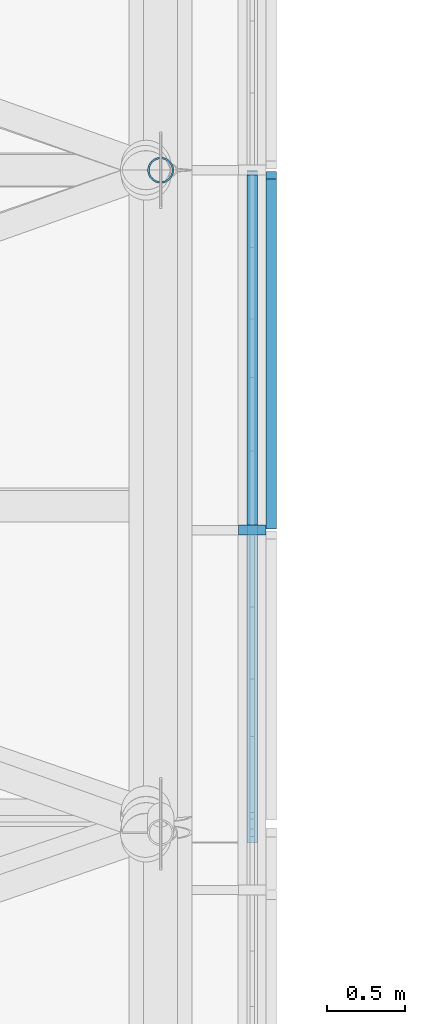
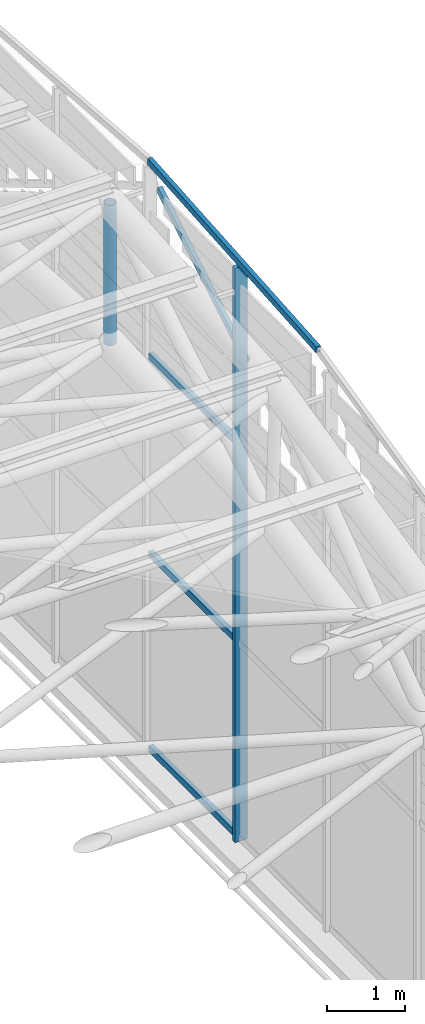
# One storey, part 37 of 110: 7 members, 1 element without a shape of its own.
"""IFC4 building model written with IfcOpenShell, lengths in metres."""

from ifc_helpers import new_model, si_unit, direction, frame, origin, origin_2d, place, context, subcontext, project, spatial, rectangle, hollow_circle, extrude, material, layer, layer_set, material_profile, profile_set, type_object, element, aggregate, save


model = new_model("IFC4")

# Units and contexts
model_context = context("Model", 3, precision=1e-05, world=origin(), true_north=direction((0.0, 1.0)))
body_context = subcontext(model_context, "Body", "Model", "MODEL_VIEW")
ifc_project = project(units=[si_unit("LENGTHUNIT", "METRE"), si_unit("AREAUNIT", "SQUARE_METRE"), si_unit("VOLUMEUNIT", "CUBIC_METRE"), si_unit("PLANEANGLEUNIT", "RADIAN"), si_unit("MASSUNIT", "GRAM", prefix="KILO")], contexts=[model_context])

# Site, building, storey
site_placement = place(None, origin())
site = spatial("IfcSite", under=ifc_project, at=site_placement, CompositionType="ELEMENT")
building_placement = place(site_placement, origin())
building = spatial("IfcBuilding", under=site, at=building_placement, Name="Windward Yard Aquatics Centre", CompositionType="ELEMENT")
storey_placement = place(building_placement, frame((0.0, 0.0, 22.60009765625)))
storey = spatial("IfcBuildingStorey", under=building, at=storey_placement, Name="L05", CompositionType="ELEMENT", Elevation=22.60009765625)

# Curtain wall, members
ifc_material_1 = material(Name="Glass and aluminium curtain wall", Category="aluminium")
ifc_layer = layer(ifc_material_1, 0.179931640625)
ifc_layer_set = layer_set([ifc_layer], Name="H gable glazing system double glazed 8+16+8")
curtain_wall_type = type_object("IfcCurtainWallType", Name="H gable glazing system double glazed 8+16+8", PredefinedType="NOTDEFINED", material=ifc_layer_set)
curtain_wall_placement = place(storey_placement, origin())
curtain_wall = element("IfcCurtainWall", 1, at=curtain_wall_placement, inside=storey, type_object=curtain_wall_type, Name="Gable glazing E", PredefinedType="NOTDEFINED")
ifc_material_2 = material(Name="Aluminium 6063-T6 anodised", Category="aluminium")
ifc_material_profile_1 = material_profile(ifc_material_2, rectangle(XDim=0.06494140625, YDim=0.179931640625, at=origin_2d()), Name="H CW mullion 65x180")
ifc_profile_set_1 = profile_set([ifc_material_profile_1], Name="Aluminium 6063-T6 anodised")
member_type_1 = type_object("IfcMemberType", Name="H CW mullion 65x180", PredefinedType="MULLION", material=ifc_profile_set_1)
member_1_placement = place(storey_placement, frame((144.590087890625, 58.6806640625, 0.0), z_axis=(0.0, 0.0, 1.0), x_axis=(0.0, 1.0, 0.0)))
member_1 = element("IfcMember", 2, at=member_1_placement, type_object=member_type_1, Name="Gable mullion 9", PredefinedType="MULLION", context=body_context, shape_type="SweptSolid", body=[
    extrude(rectangle(XDim=0.06494140625, YDim=0.179931640625, at=origin_2d()), origin(), (0.0, 0.0, 1.0), 9.002685546875),
])
ifc_material_profile_2 = material_profile(ifc_material_2, rectangle(XDim=0.06494140625, YDim=0.10009765625, at=origin_2d()), Name="H CW transom 65x100")
ifc_profile_set_2 = profile_set([ifc_material_profile_2], Name="Aluminium 6063-T6 anodised")
member_type_2 = type_object("IfcMemberType", Name="H CW transom 65x100", PredefinedType="USERDEFINED", material=ifc_profile_set_2)
member_2_placement = place(storey_placement, frame((144.590087890625, 56.6689453125, 8.9013671875), z_axis=(0.0, 0.997081887747, 0.076339433631), x_axis=(-1.0, 0.0, 0.0)))
member_2 = element("IfcMember", 3, at=member_2_placement, type_object=member_type_2, Name="Gable head rail 5", ObjectType="TRANSOM", PredefinedType="USERDEFINED", context=body_context, shape_type="SweptSolid", body=[
    extrude(rectangle(XDim=0.06494140625, YDim=0.10009765625, at=origin_2d()), origin(), (0.0, 0.0, 1.0), 4.33984375),
])
member_3_placement = place(storey_placement, frame((144.590087890625, 58.71337890625, 0.0498046875), z_axis=(0.0, 1.0, 0.0), x_axis=(-1.0, 0.0, 0.0)))
member_3 = element("IfcMember", 4, at=member_3_placement, type_object=member_type_2, Name="Gable transom 9.1", ObjectType="TRANSOM", PredefinedType="USERDEFINED", context=body_context, shape_type="SweptSolid", body=[
    extrude(rectangle(XDim=0.06494140625, YDim=0.10009765625, at=origin_2d()), origin(), (0.0, 0.0, 1.0), 2.254150390625),
])
member_4_placement = place(storey_placement, frame((144.590087890625, 58.71337890625, 3.099853515625), z_axis=(0.0, 1.0, 0.0), x_axis=(-1.0, 0.0, 0.0)))
member_4 = element("IfcMember", 5, at=member_4_placement, type_object=member_type_2, Name="Gable transom 9.2", ObjectType="TRANSOM", PredefinedType="USERDEFINED", context=body_context, shape_type="SweptSolid", body=[
    extrude(rectangle(XDim=0.06494140625, YDim=0.10009765625, at=origin_2d()), origin(), (0.0, 0.0, 1.0), 2.254150390625),
])
member_5_placement = place(storey_placement, frame((144.590087890625, 58.71337890625, 6.199951171875), z_axis=(0.0, 1.0, 0.0), x_axis=(-1.0, 0.0, 0.0)))
member_5 = element("IfcMember", 6, at=member_5_placement, type_object=member_type_2, Name="Gable transom 9.3", ObjectType="TRANSOM", PredefinedType="USERDEFINED", context=body_context, shape_type="SweptSolid", body=[
    extrude(rectangle(XDim=0.06494140625, YDim=0.10009765625, at=origin_2d()), origin(), (0.0, 0.0, 1.0), 2.254150390625),
])
member_6_placement = place(storey_placement, frame((144.71240234375, 58.71337890625, 7.4375), z_axis=(0.0, 0.859613254044, 0.510945254868), x_axis=(-1.0, 0.0, 0.0)))
member_6 = element("IfcMember", 7, at=member_6_placement, type_object=member_type_2, Name="Gable cover strip 5.2", ObjectType="COVER STRIP", PredefinedType="USERDEFINED", context=body_context, shape_type="SweptSolid", body=[
    extrude(rectangle(XDim=0.06494140625, YDim=0.10009765625, at=origin_2d()), origin(), (0.0, 0.0, 1.0), 2.622314453125),
])
aggregate(curtain_wall, [member_1, member_2, member_3, member_4, member_5, member_6])

# Member
ifc_material_3 = material(Name="Steel ASTM A500 Gr C", Category="steel")
ifc_material_profile_3 = material_profile(ifc_material_3, hollow_circle(Radius=0.084228515625, WallThickness=0.010986328125, at=origin_2d()), Name="HSS168.3X11")
ifc_profile_set_3 = profile_set([ifc_material_profile_3], Name="Steel ASTM A500 Gr C")
member_type_3 = type_object("IfcMemberType", Name="H arch post HSS168.3X11", PredefinedType="POST", material=ifc_profile_set_3)
member_7_placement = place(storey_placement, frame((144.0, 61.0, 6.5966796875), z_axis=(0.0, 0.0, 1.0), x_axis=(1.0, 0.0, 0.0)))
element("IfcMember", 8, at=member_7_placement, inside=storey, type_object=member_type_3, Name="H.AT.8.WP06", PredefinedType="POST", context=body_context, shape_type="SweptSolid", body=[
    extrude(hollow_circle(Radius=0.084228515625, WallThickness=0.010986328125, at=origin_2d()), origin(), (0.0, 0.0, 1.0), 2.199951171875),
])

save(model, "model.ifc")
